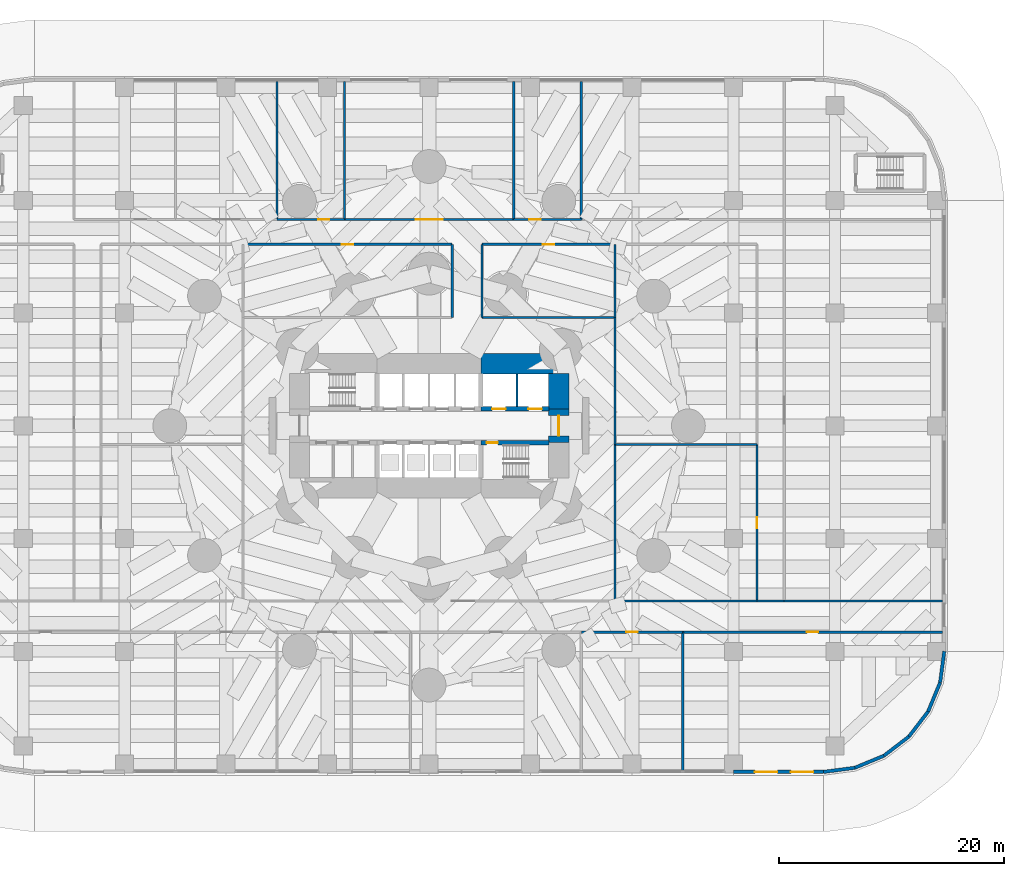
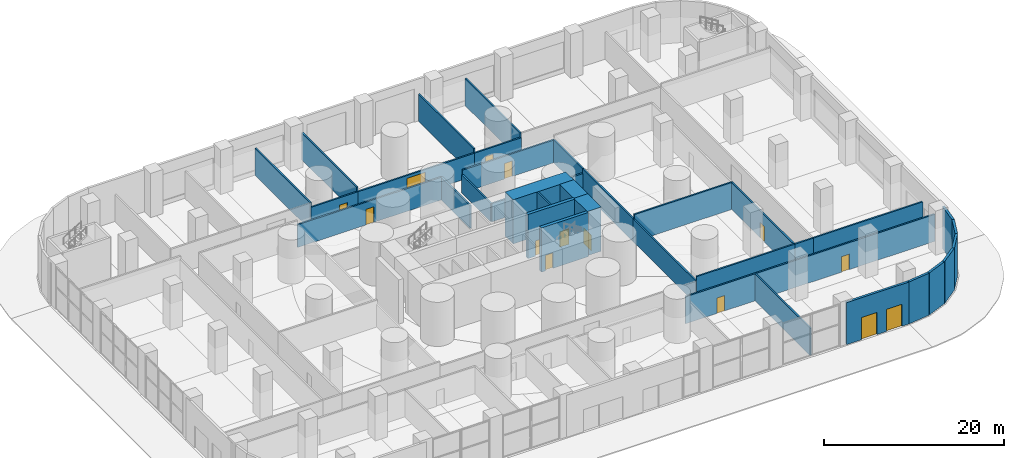
# One storey, part 14 of 20: 36 walls, 14 doors, 14 openings.
"""IFC4 building model written with IfcOpenShell, lengths in metres."""

from ifc_helpers import new_model, si_unit, direction, frame, frame_2d, origin, place, context, subcontext, project, spatial, rectangle, extrude, material, layer, layer_set, type_object, element, fill, save


model = new_model("IFC4")

# Units and contexts
model_context = context("Model", 3, precision=1e-05, world=origin(), true_north=direction((0.0, 1.0)))
body_context = subcontext(model_context, "Body", "Model", "MODEL_VIEW")
ifc_project = project(units=[si_unit("LENGTHUNIT", "METRE"), si_unit("AREAUNIT", "SQUARE_METRE"), si_unit("VOLUMEUNIT", "CUBIC_METRE"), si_unit("PLANEANGLEUNIT", "RADIAN"), si_unit("MASSUNIT", "GRAM", prefix="KILO")], contexts=[model_context])

# Site, building, storey
site_placement = place(None, origin())
site = spatial("IfcSite", under=ifc_project, at=site_placement, CompositionType="ELEMENT")
building_placement = place(site_placement, origin())
building = spatial("IfcBuilding", under=site, at=building_placement, Name="Qaws Media Tower", CompositionType="ELEMENT")
storey_placement = place(building_placement, origin())
storey = spatial("IfcBuildingStorey", under=building, at=storey_placement, Name="L00", CompositionType="ELEMENT", Elevation=0.0)

# Wall, openings, doors
ifc_material_1 = material(Name="Concrete C60/75", Category="concrete")
ifc_layer_1 = layer(ifc_material_1, 0.39990234375)
ifc_layer_set_1 = layer_set([ifc_layer_1], Name="Core inner wall 400")
wall_type_1 = type_object("IfcWallType", Name="Core inner wall 400", PredefinedType="SHEAR", material=ifc_layer_set_1)
wall_1_placement = place(storey_placement, frame((64.60009765625, 51.5, 0.0), z_axis=(0.0, 0.0, 1.0), x_axis=(1.0, 0.0, 0.0)))
wall_1 = element("IfcWall", 1, at=wall_1_placement, inside=storey, type_object=wall_type_1, Name="W318 SW4 core wall SPNE L00", PredefinedType="SHEAR", context=body_context, shape_type="SweptSolid", body=[
    extrude(rectangle(XDim=6.02001953125, YDim=0.39990234375, at=frame_2d((3.010009765625, 0.0))), origin(), (0.0, 0.0, 1.0), 6.0),
])
opening_1_placement = place(wall_1_placement, frame((1.0, 0.0, 0.0)))
opening_1 = element("IfcOpeningElement", 2, at=opening_1_placement, cuts=wall_1, Name="Opening LD2", PredefinedType="OPENING", context=body_context, shape_type="SweptSolid", body=[
    extrude(rectangle(XDim=1.199951171875, YDim=2.10009765625, at=frame_2d((0.60009765625, 1.050048828125))), frame((0.0, 0.2099609375, 0.0), z_axis=(0.0, -1.0, 0.0), x_axis=(1.0, 0.0, 0.0)), (0.0, 0.0, 1.0), 0.419921875),
])
opening_2_placement = place(wall_1_placement, frame((4.199951171875, 0.0, 0.0)))
opening_2 = element("IfcOpeningElement", 3, at=opening_2_placement, cuts=wall_1, Name="Opening LD2", PredefinedType="OPENING", context=body_context, shape_type="SweptSolid", body=[
    extrude(rectangle(XDim=1.199951171875, YDim=2.10009765625, at=frame_2d((0.60009765625, 1.050048828125))), frame((0.0, 0.2099609375, 0.0), z_axis=(0.0, -1.0, 0.0), x_axis=(1.0, 0.0, 0.0)), (0.0, 0.0, 1.0), 0.419921875),
])
ifc_material_2 = material(Name="Steel, fire rated", Category="steel")
door_type_1 = type_object("IfcDoorType", Name="Lift landing door 1200", OperationType="SLIDING_TO_LEFT", PredefinedType="DOOR", material=ifc_material_2)
door_1_placement = place(opening_1_placement, origin())
door_1 = element("IfcDoor", 4, at=door_1_placement, inside=storey, type_object=door_type_1, Name="FL1 landing door L00 in wall W318", OperationType="SLIDING_TO_LEFT", OverallHeight=2.10009765625, OverallWidth=1.199951171875, PredefinedType="DOOR", context=body_context, shape_type="SweptSolid", body=[
    extrude(rectangle(XDim=1.199951171875, YDim=2.10009765625, at=frame_2d((0.60009765625, 1.050048828125))), frame((0.0, 0.02490234375, 0.0), z_axis=(0.0, -1.0, 0.0), x_axis=(1.0, 0.0, 0.0)), (0.0, 0.0, 1.0), 0.050048828125),
])
fill(opening_1, door_1)
door_2_placement = place(opening_2_placement, origin())
door_2 = element("IfcDoor", 5, at=door_2_placement, inside=storey, type_object=door_type_1, Name="FL2 landing door L00 in wall W318", OperationType="SLIDING_TO_LEFT", OverallHeight=2.10009765625, OverallWidth=1.199951171875, PredefinedType="DOOR", context=body_context, shape_type="SweptSolid", body=[
    extrude(rectangle(XDim=1.199951171875, YDim=2.10009765625, at=frame_2d((0.60009765625, 1.050048828125))), frame((0.0, 0.02490234375, 0.0), z_axis=(0.0, -1.0, 0.0), x_axis=(1.0, 0.0, 0.0)), (0.0, 0.0, 1.0), 0.050048828125),
])
fill(opening_2, door_2)

# Wall, opening, door
wall_2_placement = place(storey_placement, frame((64.60009765625, 48.5, 0.0), z_axis=(0.0, 0.0, 1.0), x_axis=(1.0, 0.0, 0.0)))
wall_2 = element("IfcWall", 6, at=wall_2_placement, inside=storey, type_object=wall_type_1, Name="W317 SW4 core wall SPSE L00", PredefinedType="SHEAR", context=body_context, shape_type="SweptSolid", body=[
    extrude(rectangle(XDim=6.02001953125, YDim=0.39990234375, at=frame_2d((3.010009765625, 0.0))), origin(), (0.0, 0.0, 1.0), 6.0),
])
opening_3_placement = place(wall_2_placement, frame((0.5, 0.0, 0.0)))
opening_3 = element("IfcOpeningElement", 7, at=opening_3_placement, cuts=wall_2, Name="Opening D1", PredefinedType="OPENING", context=body_context, shape_type="SweptSolid", body=[
    extrude(rectangle(XDim=1.0, YDim=2.10009765625, at=frame_2d((0.5, 1.050048828125))), frame((0.0, 0.2099609375, 0.0), z_axis=(0.0, -1.0, 0.0), x_axis=(1.0, 0.0, 0.0)), (0.0, 0.0, 1.0), 0.419921875),
])
ifc_material_3 = material(Name="Steel, fire rated", Category="steel")
door_type_2 = type_object("IfcDoorType", Name="Stair door 1000 FD120", OperationType="SINGLE_SWING_LEFT", PredefinedType="DOOR", material=ifc_material_3)
door_3_placement = place(opening_3_placement, origin())
door_3 = element("IfcDoor", 8, at=door_3_placement, inside=storey, type_object=door_type_2, Name="D1 stair S2 door L00 in wall W317", OperationType="SINGLE_SWING_LEFT", OverallHeight=2.10009765625, OverallWidth=1.0, PredefinedType="DOOR", context=body_context, shape_type="SweptSolid", body=[
    extrude(rectangle(XDim=1.0, YDim=2.10009765625, at=frame_2d((0.5, 1.050048828125))), frame((0.0, 0.02490234375, 0.0), z_axis=(0.0, -1.0, 0.0), x_axis=(1.0, 0.0, 0.0)), (0.0, 0.0, 1.0), 0.050048828125),
])
fill(opening_3, door_3)

# Wall
ifc_material_4 = material(Name="Concrete C60/75", Category="concrete")
ifc_layer_2 = layer(ifc_material_4, 1.800048828125)
ifc_layer_set_2 = layer_set([ifc_layer_2], Name="Core wall 1800")
wall_type_2 = type_object("IfcWallType", Name="Core wall 1800", PredefinedType="SHEAR", material=ifc_layer_set_2)
wall_3_placement = place(storey_placement, frame((64.60009765625, 55.5, 0.0), z_axis=(0.0, 0.0, 1.0), x_axis=(1.0, 0.0, 0.0)))
element("IfcWall", 9, at=wall_3_placement, inside=storey, type_object=wall_type_2, Name="W406 SW11 core wall NE L00", PredefinedType="SHEAR", context=body_context, shape_type="SweptSolid", body=[
    extrude(rectangle(XDim=7.7998046875, YDim=1.800048828125, at=frame_2d((3.89990234375, 0.0))), origin(), (0.0, 0.0, 1.0), 6.0),
])

# Wall, opening, door
wall_4_placement = place(storey_placement, frame((71.5, 48.5, 0.0), z_axis=(0.0, 0.0, 1.0), x_axis=(0.0, 1.0, 0.0)))
wall_4 = element("IfcWall", 10, at=wall_4_placement, inside=storey, type_object=wall_type_2, Name="W408 SW11 core wall E L00", PredefinedType="SHEAR", context=body_context, shape_type="SweptSolid", body=[
    extrude(rectangle(XDim=3.0, YDim=1.800048828125, at=frame_2d((1.5, 0.0))), origin(), (0.0, 0.0, 1.0), 6.0),
])
opening_4_placement = place(wall_4_placement, frame((0.60009765625, 0.0, 0.0)))
opening_4 = element("IfcOpeningElement", 11, at=opening_4_placement, cuts=wall_4, Name="Opening D2", PredefinedType="OPENING", context=body_context, shape_type="SweptSolid", body=[
    extrude(rectangle(XDim=1.800048828125, YDim=2.10009765625, at=frame_2d((0.89990234375, 1.050048828125))), frame((0.0, 0.909912109375, 0.0), z_axis=(0.0, -1.0, 0.0), x_axis=(1.0, 0.0, 0.0)), (0.0, 0.0, 1.0), 1.820068359375),
])
ifc_material_5 = material(Name="Steel and glass, fire rated", Category="steel")
door_type_3 = type_object("IfcDoorType", Name="Lobby door pair 1800 FD60", OperationType="DOUBLE_DOOR_DOUBLE_SWING", PredefinedType="DOOR", material=ifc_material_5)
door_4_placement = place(opening_4_placement, origin())
door_4 = element("IfcDoor", 12, at=door_4_placement, inside=storey, type_object=door_type_3, Name="D2 core lobby door E L00 in wall W408", OperationType="DOUBLE_DOOR_DOUBLE_SWING", OverallHeight=2.10009765625, OverallWidth=1.800048828125, PredefinedType="DOOR", context=body_context, shape_type="SweptSolid", body=[
    extrude(rectangle(XDim=1.800048828125, YDim=2.10009765625, at=frame_2d((0.89990234375, 1.050048828125))), frame((0.0, 0.02490234375, 0.0), z_axis=(0.0, -1.0, 0.0), x_axis=(1.0, 0.0, 0.0)), (0.0, 0.0, 1.0), 0.050048828125),
])
fill(opening_4, door_4)

# Walls
wall_5_placement = place(storey_placement, frame((71.5, 51.5, 0.0), z_axis=(0.0, 0.0, 1.0), x_axis=(0.0, 1.0, 0.0)))
element("IfcWall", 13, at=wall_5_placement, inside=storey, type_object=wall_type_2, Name="W409 SW11 core wall EN L00", PredefinedType="SHEAR", context=body_context, shape_type="SweptSolid", body=[
    extrude(rectangle(XDim=3.1201171875, YDim=1.800048828125, at=frame_2d((1.56005859375, 0.0))), origin(), (0.0, 0.0, 1.0), 6.0),
])
ifc_material_6 = material(Name="Precast concrete, exposed finish", Category="concrete")
ifc_layer_3 = layer(ifc_material_6, 0.300048828125)
ifc_layer_set_3 = layer_set([ifc_layer_3], Name="Podium facade wall 300")
wall_type_3 = type_object("IfcWallType", Name="Podium facade wall 300", PredefinedType="SOLIDWALL", material=ifc_layer_set_3)
wall_6_placement = place(storey_placement, frame((95.0, 19.300048828125, 0.0), z_axis=(0.0, 0.0, 1.0), x_axis=(0.991448642066, 0.130497471798, 0.0)))
element("IfcWall", 14, at=wall_6_placement, inside=storey, type_object=wall_type_3, Name="W779 EW2 podium wall L00-01", PredefinedType="SOLIDWALL", context=body_context, shape_type="SweptSolid", body=[
    extrude(rectangle(XDim=2.793212890625, YDim=0.300048828125, at=frame_2d((1.396484375, 0.0))), origin(), (0.0, 0.0, 1.0), 5.699951171875),
])
wall_7_placement = place(storey_placement, frame((97.769287109375, 19.66455078125, 0.0), z_axis=(0.0, 0.0, 1.0), x_axis=(0.923868765822, 0.382709424419, 0.0)))
element("IfcWall", 15, at=wall_7_placement, inside=storey, type_object=wall_type_3, Name="W781 EW2 podium wall L00-02", PredefinedType="SOLIDWALL", context=body_context, shape_type="SweptSolid", body=[
    extrude(rectangle(XDim=2.79345703125, YDim=0.300048828125, at=frame_2d((1.396728515625, 0.0))), origin(), (0.0, 0.0, 1.0), 5.699951171875),
])
for number, where, z_axis, x_axis, name in (
    (16, (100.35009765625, 20.733642578125, 0.0), (0.0, 0.0, 1.0), (0.793396695539, 0.608704923183, 0.0), "W783 EW2 podium wall L00-03"),
    (17, (102.566162109375, 22.433837890625, 0.0), (0.0, 0.0, 1.0), (0.608704923183, 0.793396695539, 0.0), "W785 EW2 podium wall L00-04"),
):
    element("IfcWall", number, at=place(storey_placement, frame(where, z_axis=z_axis, x_axis=x_axis)), inside=storey, type_object=wall_type_3, Name=name, PredefinedType="SOLIDWALL", context=body_context, shape_type="SweptSolid", body=[
        extrude(rectangle(XDim=2.793212890625, YDim=0.300048828125, at=frame_2d((1.396484375, 0.0))), origin(), (0.0, 0.0, 1.0), 5.699951171875),
    ])
wall_8_placement = place(storey_placement, frame((104.266357421875, 24.64990234375, 0.0), z_axis=(0.0, 0.0, 1.0), x_axis=(0.382709424419, 0.923868765822, 0.0)))
element("IfcWall", 18, at=wall_8_placement, inside=storey, type_object=wall_type_3, Name="W787 EW2 podium wall L00-05", PredefinedType="SOLIDWALL", context=body_context, shape_type="SweptSolid", body=[
    extrude(rectangle(XDim=2.79345703125, YDim=0.300048828125, at=frame_2d((1.396728515625, 0.0))), origin(), (0.0, 0.0, 1.0), 5.699951171875),
])
wall_9_placement = place(storey_placement, frame((105.33544921875, 27.230712890625, 0.0), z_axis=(0.0, 0.0, 1.0), x_axis=(0.130497471798, 0.991448642066, 0.0)))
element("IfcWall", 19, at=wall_9_placement, inside=storey, type_object=wall_type_3, Name="W789 EW2 podium wall L00-06", PredefinedType="SOLIDWALL", context=body_context, shape_type="SweptSolid", body=[
    extrude(rectangle(XDim=2.793212890625, YDim=0.300048828125, at=frame_2d((1.396484375, 0.0))), origin(), (0.0, 0.0, 1.0), 5.699951171875),
])

# Wall, openings, doors
wall_10_placement = place(storey_placement, frame((87.0, 19.300048828125, 0.0), z_axis=(0.0, 0.0, 1.0), x_axis=(1.0, 0.0, 0.0)))
wall_10 = element("IfcWall", 20, at=wall_10_placement, inside=storey, type_object=wall_type_3, Name="W778 EW2 podium wall L00-28c", PredefinedType="SOLIDWALL", context=body_context, shape_type="SweptSolid", body=[
    extrude(rectangle(XDim=8.0, YDim=0.300048828125, at=frame_2d((4.0, 0.0))), origin(), (0.0, 0.0, 1.0), 5.699951171875),
])
opening_5_placement = place(wall_10_placement, frame((1.89990234375, 0.0, 0.0)))
opening_5 = element("IfcOpeningElement", 21, at=opening_5_placement, cuts=wall_10, Name="Opening D9", PredefinedType="OPENING", context=body_context, shape_type="SweptSolid", body=[
    extrude(rectangle(XDim=2.0, YDim=3.0, at=frame_2d((1.0, 1.5))), frame((0.0, 0.159912109375, 0.0), z_axis=(0.0, -1.0, 0.0), x_axis=(1.0, 0.0, 0.0)), (0.0, 0.0, 1.0), 0.320068359375),
])
opening_6_placement = place(wall_10_placement, frame((5.10009765625, 0.0, 0.0)))
opening_6 = element("IfcOpeningElement", 22, at=opening_6_placement, cuts=wall_10, Name="Opening D9", PredefinedType="OPENING", context=body_context, shape_type="SweptSolid", body=[
    extrude(rectangle(XDim=2.0, YDim=3.0, at=frame_2d((1.0, 1.5))), frame((0.0, 0.159912109375, 0.0), z_axis=(0.0, -1.0, 0.0), x_axis=(1.0, 0.0, 0.0)), (0.0, 0.0, 1.0), 0.320068359375),
])
ifc_material_7 = material(Name="Aluminium and clear glass", Category="aluminium")
door_type_4 = type_object("IfcDoorType", Name="Shop door pair 2000", OperationType="DOUBLE_DOOR_DOUBLE_SWING", PredefinedType="DOOR", material=ifc_material_7)
door_5_placement = place(opening_5_placement, origin())
door_5 = element("IfcDoor", 23, at=door_5_placement, inside=storey, type_object=door_type_4, Name="D9 door L00 bay 9 in wall W778", OperationType="DOUBLE_DOOR_DOUBLE_SWING", OverallHeight=3.0, OverallWidth=2.0, PredefinedType="DOOR", context=body_context, shape_type="SweptSolid", body=[
    extrude(rectangle(XDim=2.0, YDim=3.0, at=frame_2d((1.0, 1.5))), frame((0.0, 0.02490234375, 0.0), z_axis=(0.0, -1.0, 0.0), x_axis=(1.0, 0.0, 0.0)), (0.0, 0.0, 1.0), 0.050048828125),
])
fill(opening_5, door_5)
door_6_placement = place(opening_6_placement, origin())
door_6 = element("IfcDoor", 24, at=door_6_placement, inside=storey, type_object=door_type_4, Name="D9 door L00 bay 9b in wall W778", OperationType="DOUBLE_DOOR_DOUBLE_SWING", OverallHeight=3.0, OverallWidth=2.0, PredefinedType="DOOR", context=body_context, shape_type="SweptSolid", body=[
    extrude(rectangle(XDim=2.0, YDim=3.0, at=frame_2d((1.0, 1.5))), frame((0.0, 0.02490234375, 0.0), z_axis=(0.0, -1.0, 0.0), x_axis=(1.0, 0.0, 0.0)), (0.0, 0.0, 1.0), 0.050048828125),
])
fill(opening_6, door_6)

# Walls
ifc_material_8 = material(Name="Gypsum board on galvanised metal studs, acoustic double stud, deflection head", Category="gypsum")
ifc_layer_4 = layer(ifc_material_8, 0.199951171875)
ifc_layer_set_4 = layer_set([ifc_layer_4], Name="Room partition 200")
wall_type_4 = type_object("IfcWallType", Name="Room partition 200", PredefinedType="PARTITIONING", material=ifc_layer_set_4)
for number, where, z_axis, x_axis, name in (
    (25, (46.5, 68.300048828125, 0.0), (0.0, 0.0, 1.0), (0.0, 1.0, 0.0), "W861 IW3 partition L00"),
    (26, (52.5, 68.300048828125, 0.0), (0.0, 0.0, 1.0), (0.0, 1.0, 0.0), "W863 IW3 partition L00"),
):
    element("IfcWall", number, at=place(storey_placement, frame(where, z_axis=z_axis, x_axis=x_axis)), inside=storey, type_object=wall_type_4, Name=name, PredefinedType="PARTITIONING", context=body_context, shape_type="SweptSolid", body=[
        extrude(rectangle(XDim=12.244873046875, YDim=0.199951171875, at=frame_2d((6.12255859375, 0.0))), origin(), (0.0, 0.0, 1.0), 3.679931640625),
    ])
wall_11_placement = place(storey_placement, frame((62.050048828125, 59.60009765625, 0.0), z_axis=(0.0, 0.0, 1.0), x_axis=(0.0, 1.0, 0.0)))
element("IfcWall", 27, at=wall_11_placement, inside=storey, type_object=wall_type_4, Name="W825 IW3 partition L00", PredefinedType="PARTITIONING", context=body_context, shape_type="SweptSolid", body=[
    extrude(rectangle(XDim=6.5, YDim=0.199951171875, at=frame_2d((3.25, 0.0))), origin(), (0.0, 0.0, 1.0), 3.080078125),
])
wall_12_placement = place(storey_placement, frame((64.699951171875, 59.60009765625, 0.0), z_axis=(0.0, 0.0, 1.0), x_axis=(0.0, 1.0, 0.0)))
element("IfcWall", 28, at=wall_12_placement, inside=storey, type_object=wall_type_4, Name="W829 IW3 partition L00", PredefinedType="PARTITIONING", context=body_context, shape_type="SweptSolid", body=[
    extrude(rectangle(XDim=6.5, YDim=0.199951171875, at=frame_2d((3.25, 0.0))), origin(), (0.0, 0.0, 1.0), 2.47998046875),
])
for number, where, z_axis, x_axis, name in (
    (29, (67.5, 68.300048828125, 0.0), (0.0, 0.0, 1.0), (0.0, 1.0, 0.0), "W869 IW3 partition L00"),
    (30, (73.5, 68.300048828125, 0.0), (0.0, 0.0, 1.0), (0.0, 1.0, 0.0), "W873 IW3 partition L00"),
):
    element("IfcWall", number, at=place(storey_placement, frame(where, z_axis=z_axis, x_axis=x_axis)), inside=storey, type_object=wall_type_4, Name=name, PredefinedType="PARTITIONING", context=body_context, shape_type="SweptSolid", body=[
        extrude(rectangle(XDim=12.244873046875, YDim=0.199951171875, at=frame_2d((6.12255859375, 0.0))), origin(), (0.0, 0.0, 1.0), 3.679931640625),
    ])
wall_13_placement = place(storey_placement, frame((76.5, 34.449951171875, 0.0), z_axis=(0.0, 0.0, 1.0), x_axis=(0.0, 1.0, 0.0)))
element("IfcWall", 31, at=wall_13_placement, inside=storey, type_object=wall_type_4, Name="W875 IW3 partition L00", PredefinedType="PARTITIONING", context=body_context, shape_type="SweptSolid", body=[
    extrude(rectangle(XDim=13.900146484375, YDim=0.199951171875, at=frame_2d((6.9501953125, 0.0))), origin(), (0.0, 0.0, 1.0), 3.080078125),
])
wall_14_placement = place(storey_placement, frame((76.5, 48.35009765625, 0.0), z_axis=(0.0, 0.0, 1.0), x_axis=(0.0, 1.0, 0.0)))
element("IfcWall", 32, at=wall_14_placement, inside=storey, type_object=wall_type_4, Name="W877 IW3 partition L00", PredefinedType="PARTITIONING", context=body_context, shape_type="SweptSolid", body=[
    extrude(rectangle(XDim=11.25, YDim=0.199951171875, at=frame_2d((5.625, 0.0))), origin(), (0.0, 0.0, 1.0), 3.080078125),
])
wall_15_placement = place(storey_placement, frame((76.5, 59.60009765625, 0.0), z_axis=(0.0, 0.0, 1.0), x_axis=(0.0, 1.0, 0.0)))
element("IfcWall", 33, at=wall_15_placement, inside=storey, type_object=wall_type_4, Name="W836 IW3 partition L00", PredefinedType="PARTITIONING", context=body_context, shape_type="SweptSolid", body=[
    extrude(rectangle(XDim=6.5, YDim=0.199951171875, at=frame_2d((3.25, 0.0))), origin(), (0.0, 0.0, 1.0), 3.080078125),
])
wall_16_placement = place(storey_placement, frame((82.5, 19.3349609375, 0.0), z_axis=(0.0, 0.0, 1.0), x_axis=(0.0, 1.0, 0.0)))
element("IfcWall", 34, at=wall_16_placement, inside=storey, type_object=wall_type_4, Name="W879 IW3 partition L00", PredefinedType="PARTITIONING", context=body_context, shape_type="SweptSolid", body=[
    extrude(rectangle(XDim=12.364990234375, YDim=0.199951171875, at=frame_2d((6.1826171875, 0.0))), origin(), (0.0, 0.0, 1.0), 3.679931640625),
])

# Wall, opening, door
wall_17_placement = place(storey_placement, frame((89.10009765625, 34.449951171875, 0.0), z_axis=(0.0, 0.0, 1.0), x_axis=(0.0, 1.0, 0.0)))
wall_17 = element("IfcWall", 35, at=wall_17_placement, inside=storey, type_object=wall_type_4, Name="W881 IW3 partition L00", PredefinedType="PARTITIONING", context=body_context, shape_type="SweptSolid", body=[
    extrude(rectangle(XDim=13.900146484375, YDim=0.199951171875, at=frame_2d((6.9501953125, 0.0))), origin(), (0.0, 0.0, 1.0), 3.679931640625),
])
opening_7_placement = place(wall_17_placement, frame((6.449951171875, 0.0, 0.0)))
opening_7 = element("IfcOpeningElement", 36, at=opening_7_placement, cuts=wall_17, Name="Opening D5", PredefinedType="OPENING", context=body_context, shape_type="SweptSolid", body=[
    extrude(rectangle(XDim=1.0, YDim=2.10009765625, at=frame_2d((0.5, 1.050048828125))), frame((0.0, 0.10986328125, 0.0), z_axis=(0.0, -1.0, 0.0), x_axis=(1.0, 0.0, 0.0)), (0.0, 0.0, 1.0), 0.219970703125),
])
ifc_material_9 = material(Name="Timber veneered, acoustic seal", Category="wood")
door_type_5 = type_object("IfcDoorType", Name="Room door 1000", OperationType="SINGLE_SWING_LEFT", PredefinedType="DOOR", material=ifc_material_9)
door_7_placement = place(opening_7_placement, origin())
door_7 = element("IfcDoor", 37, at=door_7_placement, inside=storey, type_object=door_type_5, Name="D5 Media shop door in wall W881", OperationType="SINGLE_SWING_LEFT", OverallHeight=2.10009765625, OverallWidth=1.0, PredefinedType="DOOR", context=body_context, shape_type="SweptSolid", body=[
    extrude(rectangle(XDim=1.0, YDim=2.10009765625, at=frame_2d((0.5, 1.050048828125))), frame((0.0, 0.02490234375, 0.0), z_axis=(0.0, -1.0, 0.0), x_axis=(1.0, 0.0, 0.0)), (0.0, 0.0, 1.0), 0.050048828125),
])
fill(opening_7, door_7)

wall_18_placement = place(storey_placement, frame((73.5, 31.699951171875, 0.0), z_axis=(0.0, 0.0, 1.0), x_axis=(1.0, 0.0, 0.0)))
wall_18 = element("IfcWall", 38, at=wall_18_placement, inside=storey, type_object=wall_type_4, Name="W872 IW3 partition L00", PredefinedType="PARTITIONING", context=body_context, shape_type="SweptSolid", body=[
    extrude(rectangle(XDim=9.0, YDim=0.199951171875, at=frame_2d((4.5, 0.0))), origin(), (0.0, 0.0, 1.0), 3.679931640625),
])
opening_8_placement = place(wall_18_placement, frame((4.0, 0.0, 0.0)))
opening_8 = element("IfcOpeningElement", 39, at=opening_8_placement, cuts=wall_18, Name="Opening D5", PredefinedType="OPENING", context=body_context, shape_type="SweptSolid", body=[
    extrude(rectangle(XDim=1.0, YDim=2.10009765625, at=frame_2d((0.5, 1.050048828125))), frame((0.0, 0.10986328125, 0.0), z_axis=(0.0, -1.0, 0.0), x_axis=(1.0, 0.0, 0.0)), (0.0, 0.0, 1.0), 0.219970703125),
])
door_8_placement = place(opening_8_placement, origin())
door_8 = element("IfcDoor", 40, at=door_8_placement, inside=storey, type_object=door_type_5, Name="D5 Security office door in wall W872", OperationType="SINGLE_SWING_LEFT", OverallHeight=2.10009765625, OverallWidth=1.0, PredefinedType="DOOR", context=body_context, shape_type="SweptSolid", body=[
    extrude(rectangle(XDim=1.0, YDim=2.10009765625, at=frame_2d((0.5, 1.050048828125))), frame((0.0, 0.02490234375, 0.0), z_axis=(0.0, -1.0, 0.0), x_axis=(1.0, 0.0, 0.0)), (0.0, 0.0, 1.0), 0.050048828125),
])
fill(opening_8, door_8)

wall_19_placement = place(storey_placement, frame((82.5, 31.699951171875, 0.0), z_axis=(0.0, 0.0, 1.0), x_axis=(1.0, 0.0, 0.0)))
wall_19 = element("IfcWall", 41, at=wall_19_placement, inside=storey, type_object=wall_type_4, Name="W880 IW3 partition L00", PredefinedType="PARTITIONING", context=body_context, shape_type="SweptSolid", body=[
    extrude(rectangle(XDim=23.044921875, YDim=0.199951171875, at=frame_2d((11.5224609375, 0.0))), origin(), (0.0, 0.0, 1.0), 3.679931640625),
])
opening_9_placement = place(wall_19_placement, frame((11.0224609375, 0.0, 0.0)))
opening_9 = element("IfcOpeningElement", 42, at=opening_9_placement, cuts=wall_19, Name="Opening D5", PredefinedType="OPENING", context=body_context, shape_type="SweptSolid", body=[
    extrude(rectangle(XDim=1.0, YDim=2.10009765625, at=frame_2d((0.5, 1.050048828125))), frame((0.0, 0.10986328125, 0.0), z_axis=(0.0, -1.0, 0.0), x_axis=(1.0, 0.0, 0.0)), (0.0, 0.0, 1.0), 0.219970703125),
])
door_9_placement = place(opening_9_placement, origin())
door_9 = element("IfcDoor", 43, at=door_9_placement, inside=storey, type_object=door_type_5, Name="D5 Retail unit 2 door in wall W880", OperationType="SINGLE_SWING_LEFT", OverallHeight=2.10009765625, OverallWidth=1.0, PredefinedType="DOOR", context=body_context, shape_type="SweptSolid", body=[
    extrude(rectangle(XDim=1.0, YDim=2.10009765625, at=frame_2d((0.5, 1.050048828125))), frame((0.0, 0.02490234375, 0.0), z_axis=(0.0, -1.0, 0.0), x_axis=(1.0, 0.0, 0.0)), (0.0, 0.0, 1.0), 0.050048828125),
])
fill(opening_9, door_9)

# Walls
wall_20_placement = place(storey_placement, frame((76.5, 34.449951171875, 0.0), z_axis=(0.0, 0.0, 1.0), x_axis=(1.0, 0.0, 0.0)))
element("IfcWall", 44, at=wall_20_placement, inside=storey, type_object=wall_type_4, Name="W876 IW3 partition L00", PredefinedType="PARTITIONING", context=body_context, shape_type="SweptSolid", body=[
    extrude(rectangle(XDim=12.60009765625, YDim=0.199951171875, at=frame_2d((6.300048828125, 0.0))), origin(), (0.0, 0.0, 1.0), 3.679931640625),
])
wall_21_placement = place(storey_placement, frame((89.10009765625, 34.449951171875, 0.0), z_axis=(0.0, 0.0, 1.0), x_axis=(1.0, 0.0, 0.0)))
element("IfcWall", 45, at=wall_21_placement, inside=storey, type_object=wall_type_4, Name="W882 IW3 partition L00", PredefinedType="PARTITIONING", context=body_context, shape_type="SweptSolid", body=[
    extrude(rectangle(XDim=2.39990234375, YDim=0.199951171875, at=frame_2d((1.199951171875, 0.0))), origin(), (0.0, 0.0, 1.0), 3.679931640625),
])
wall_22_placement = place(storey_placement, frame((91.5, 34.449951171875, 0.0), z_axis=(0.0, 0.0, 1.0), x_axis=(1.0, 0.0, 0.0)))
element("IfcWall", 46, at=wall_22_placement, inside=storey, type_object=wall_type_4, Name="W885 IW3 partition L00", PredefinedType="PARTITIONING", context=body_context, shape_type="SweptSolid", body=[
    extrude(rectangle(XDim=14.044921875, YDim=0.199951171875, at=frame_2d((7.0224609375, 0.0))), origin(), (0.0, 0.0, 1.0), 3.679931640625),
])
wall_23_placement = place(storey_placement, frame((76.5, 48.35009765625, 0.0), z_axis=(0.0, 0.0, 1.0), x_axis=(1.0, 0.0, 0.0)))
element("IfcWall", 47, at=wall_23_placement, inside=storey, type_object=wall_type_4, Name="W878 IW3 partition L00", PredefinedType="PARTITIONING", context=body_context, shape_type="SweptSolid", body=[
    extrude(rectangle(XDim=12.60009765625, YDim=0.199951171875, at=frame_2d((6.300048828125, 0.0))), origin(), (0.0, 0.0, 1.0), 3.679931640625),
])
wall_24_placement = place(storey_placement, frame((64.699951171875, 59.60009765625, 0.0), z_axis=(0.0, 0.0, 1.0), x_axis=(1.0, 0.0, 0.0)))
element("IfcWall", 48, at=wall_24_placement, inside=storey, type_object=wall_type_4, Name="W830 IW3 partition L00", PredefinedType="PARTITIONING", context=body_context, shape_type="SweptSolid", body=[
    extrude(rectangle(XDim=11.800048828125, YDim=0.199951171875, at=frame_2d((5.89990234375, 0.0))), origin(), (0.0, 0.0, 1.0), 2.47998046875),
])

# Wall, opening, door
wall_25_placement = place(storey_placement, frame((43.5, 66.10009765625, 0.0), z_axis=(0.0, 0.0, 1.0), x_axis=(1.0, 0.0, 0.0)))
wall_25 = element("IfcWall", 49, at=wall_25_placement, inside=storey, type_object=wall_type_4, Name="W823 IW3 partition L00", PredefinedType="PARTITIONING", context=body_context, shape_type="SweptSolid", body=[
    extrude(rectangle(XDim=18.550048828125, YDim=0.199951171875, at=frame_2d((9.27490234375, 0.0))), origin(), (0.0, 0.0, 1.0), 3.080078125),
])
opening_10_placement = place(wall_25_placement, frame((8.77490234375, 0.0, 0.0)))
opening_10 = element("IfcOpeningElement", 50, at=opening_10_placement, cuts=wall_25, Name="Opening D5", PredefinedType="OPENING", context=body_context, shape_type="SweptSolid", body=[
    extrude(rectangle(XDim=1.0, YDim=2.10009765625, at=frame_2d((0.5, 1.050048828125))), frame((0.0, 0.10986328125, 0.0), z_axis=(0.0, -1.0, 0.0), x_axis=(1.0, 0.0, 0.0)), (0.0, 0.0, 1.0), 0.219970703125),
])
door_10_placement = place(opening_10_placement, origin())
door_10 = element("IfcDoor", 51, at=door_10_placement, inside=storey, type_object=door_type_5, Name="D5 Courier office door in wall W823", OperationType="SINGLE_SWING_LEFT", OverallHeight=2.10009765625, OverallWidth=1.0, PredefinedType="DOOR", context=body_context, shape_type="SweptSolid", body=[
    extrude(rectangle(XDim=1.0, YDim=2.10009765625, at=frame_2d((0.5, 1.050048828125))), frame((0.0, 0.02490234375, 0.0), z_axis=(0.0, -1.0, 0.0), x_axis=(1.0, 0.0, 0.0)), (0.0, 0.0, 1.0), 0.050048828125),
])
fill(opening_10, door_10)

wall_26_placement = place(storey_placement, frame((64.699951171875, 66.10009765625, 0.0), z_axis=(0.0, 0.0, 1.0), x_axis=(1.0, 0.0, 0.0)))
wall_26 = element("IfcWall", 52, at=wall_26_placement, inside=storey, type_object=wall_type_4, Name="W831 IW3 partition L00", PredefinedType="PARTITIONING", context=body_context, shape_type="SweptSolid", body=[
    extrude(rectangle(XDim=11.800048828125, YDim=0.199951171875, at=frame_2d((5.89990234375, 0.0))), origin(), (0.0, 0.0, 1.0), 3.080078125),
])
opening_11_placement = place(wall_26_placement, frame((5.39990234375, 0.0, 0.0)))
opening_11 = element("IfcOpeningElement", 53, at=opening_11_placement, cuts=wall_26, Name="Opening D5", PredefinedType="OPENING", context=body_context, shape_type="SweptSolid", body=[
    extrude(rectangle(XDim=1.0, YDim=2.10009765625, at=frame_2d((0.5, 1.050048828125))), frame((0.0, 0.10986328125, 0.0), z_axis=(0.0, -1.0, 0.0), x_axis=(1.0, 0.0, 0.0)), (0.0, 0.0, 1.0), 0.219970703125),
])
door_11_placement = place(opening_11_placement, origin())
door_11 = element("IfcDoor", 54, at=door_11_placement, inside=storey, type_object=door_type_5, Name="D5 Facilities management office door in wall W831", OperationType="SINGLE_SWING_LEFT", OverallHeight=2.10009765625, OverallWidth=1.0, PredefinedType="DOOR", context=body_context, shape_type="SweptSolid", body=[
    extrude(rectangle(XDim=1.0, YDim=2.10009765625, at=frame_2d((0.5, 1.050048828125))), frame((0.0, 0.02490234375, 0.0), z_axis=(0.0, -1.0, 0.0), x_axis=(1.0, 0.0, 0.0)), (0.0, 0.0, 1.0), 0.050048828125),
])
fill(opening_11, door_11)

wall_27_placement = place(storey_placement, frame((46.5, 68.300048828125, 0.0), z_axis=(0.0, 0.0, 1.0), x_axis=(1.0, 0.0, 0.0)))
wall_27 = element("IfcWall", 55, at=wall_27_placement, inside=storey, type_object=wall_type_4, Name="W862 IW3 partition L00", PredefinedType="PARTITIONING", context=body_context, shape_type="SweptSolid", body=[
    extrude(rectangle(XDim=6.0, YDim=0.199951171875, at=frame_2d((3.0, 0.0))), origin(), (0.0, 0.0, 1.0), 3.080078125),
])
opening_12_placement = place(wall_27_placement, frame((3.64990234375, 0.0, 0.0)))
opening_12 = element("IfcOpeningElement", 56, at=opening_12_placement, cuts=wall_27, Name="Opening D5", PredefinedType="OPENING", context=body_context, shape_type="SweptSolid", body=[
    extrude(rectangle(XDim=1.0, YDim=2.10009765625, at=frame_2d((0.5, 1.050048828125))), frame((0.0, 0.10986328125, 0.0), z_axis=(0.0, -1.0, 0.0), x_axis=(1.0, 0.0, 0.0)), (0.0, 0.0, 1.0), 0.219970703125),
])
door_12_placement = place(opening_12_placement, origin())
door_12 = element("IfcDoor", 57, at=door_12_placement, inside=storey, type_object=door_type_5, Name="D5 Goods inwards office door in wall W862", OperationType="SINGLE_SWING_LEFT", OverallHeight=2.10009765625, OverallWidth=1.0, PredefinedType="DOOR", context=body_context, shape_type="SweptSolid", body=[
    extrude(rectangle(XDim=1.0, YDim=2.10009765625, at=frame_2d((0.5, 1.050048828125))), frame((0.0, 0.02490234375, 0.0), z_axis=(0.0, -1.0, 0.0), x_axis=(1.0, 0.0, 0.0)), (0.0, 0.0, 1.0), 0.050048828125),
])
fill(opening_12, door_12)

wall_28_placement = place(storey_placement, frame((52.5, 68.300048828125, 0.0), z_axis=(0.0, 0.0, 1.0), x_axis=(1.0, 0.0, 0.0)))
wall_28 = element("IfcWall", 58, at=wall_28_placement, inside=storey, type_object=wall_type_4, Name="W864 IW3 partition L00", PredefinedType="PARTITIONING", context=body_context, shape_type="SweptSolid", body=[
    extrude(rectangle(XDim=15.0, YDim=0.199951171875, at=frame_2d((7.5, 0.0))), origin(), (0.0, 0.0, 1.0), 3.080078125),
])
opening_13_placement = place(wall_28_placement, frame((6.300048828125, 0.0, 0.0)))
opening_13 = element("IfcOpeningElement", 59, at=opening_13_placement, cuts=wall_28, Name="Opening D20", PredefinedType="OPENING", context=body_context, shape_type="SweptSolid", body=[
    extrude(rectangle(XDim=2.39990234375, YDim=2.699951171875, at=frame_2d((1.199951171875, 1.35009765625))), frame((0.0, 0.10986328125, 0.0), z_axis=(0.0, -1.0, 0.0), x_axis=(1.0, 0.0, 0.0)), (0.0, 0.0, 1.0), 0.219970703125),
])
ifc_material_10 = material(Name="Steel, fire rated", Category="steel")
door_type_6 = type_object("IfcDoorType", Name="Workshop door pair 2400x2700", OperationType="DOUBLE_DOOR_DOUBLE_SWING", PredefinedType="DOOR", material=ifc_material_10)
door_13_placement = place(opening_13_placement, origin())
door_13 = element("IfcDoor", 60, at=door_13_placement, inside=storey, type_object=door_type_6, Name="D20 Loading bay door in wall W864", OperationType="DOUBLE_DOOR_DOUBLE_SWING", OverallHeight=2.699951171875, OverallWidth=2.39990234375, PredefinedType="DOOR", context=body_context, shape_type="SweptSolid", body=[
    extrude(rectangle(XDim=2.39990234375, YDim=2.699951171875, at=frame_2d((1.199951171875, 1.35009765625))), frame((0.0, 0.02490234375, 0.0), z_axis=(0.0, -1.0, 0.0), x_axis=(1.0, 0.0, 0.0)), (0.0, 0.0, 1.0), 0.050048828125),
])
fill(opening_13, door_13)

wall_29_placement = place(storey_placement, frame((67.5, 68.300048828125, 0.0), z_axis=(0.0, 0.0, 1.0), x_axis=(1.0, 0.0, 0.0)))
wall_29 = element("IfcWall", 61, at=wall_29_placement, inside=storey, type_object=wall_type_4, Name="W870 IW3 partition L00", PredefinedType="PARTITIONING", context=body_context, shape_type="SweptSolid", body=[
    extrude(rectangle(XDim=6.0, YDim=0.199951171875, at=frame_2d((3.0, 0.0))), origin(), (0.0, 0.0, 1.0), 3.080078125),
])
opening_14_placement = place(wall_29_placement, frame((1.39990234375, 0.0, 0.0)))
opening_14 = element("IfcOpeningElement", 62, at=opening_14_placement, cuts=wall_29, Name="Opening D5", PredefinedType="OPENING", context=body_context, shape_type="SweptSolid", body=[
    extrude(rectangle(XDim=1.0, YDim=2.10009765625, at=frame_2d((0.5, 1.050048828125))), frame((0.0, 0.10986328125, 0.0), z_axis=(0.0, -1.0, 0.0), x_axis=(1.0, 0.0, 0.0)), (0.0, 0.0, 1.0), 0.219970703125),
])
door_14_placement = place(opening_14_placement, origin())
door_14 = element("IfcDoor", 63, at=door_14_placement, inside=storey, type_object=door_type_5, Name="D5 Mail sorting office door in wall W870", OperationType="SINGLE_SWING_LEFT", OverallHeight=2.10009765625, OverallWidth=1.0, PredefinedType="DOOR", context=body_context, shape_type="SweptSolid", body=[
    extrude(rectangle(XDim=1.0, YDim=2.10009765625, at=frame_2d((0.5, 1.050048828125))), frame((0.0, 0.02490234375, 0.0), z_axis=(0.0, -1.0, 0.0), x_axis=(1.0, 0.0, 0.0)), (0.0, 0.0, 1.0), 0.050048828125),
])
fill(opening_14, door_14)

# Wall
ifc_material_11 = material(Name="Fire-rated gypsum board shaft wall on galvanised metal studs, deflection head", Category="gypsum")
ifc_layer_5 = layer(ifc_material_11, 0.199951171875)
ifc_layer_set_5 = layer_set([ifc_layer_5], Name="Shaft wall 200")
wall_type_5 = type_object("IfcWallType", Name="Shaft wall 200", PredefinedType="PARTITIONING", material=ifc_layer_set_5)
wall_30_placement = place(storey_placement, frame((67.800048828125, 51.699951171875, 0.0), z_axis=(0.0, 0.0, 1.0), x_axis=(0.0, 1.0, 0.0)))
element("IfcWall", 64, at=wall_30_placement, inside=storey, type_object=wall_type_5, Name="W1845 IW1 shaft wall FL L00", PredefinedType="PARTITIONING", context=body_context, shape_type="SweptSolid", body=[
    extrude(rectangle(XDim=2.900146484375, YDim=0.199951171875, at=frame_2d((1.4501953125, 0.0))), origin(), (0.0, 0.0, 1.0), 6.0),
])

save(model, "model.ifc")
